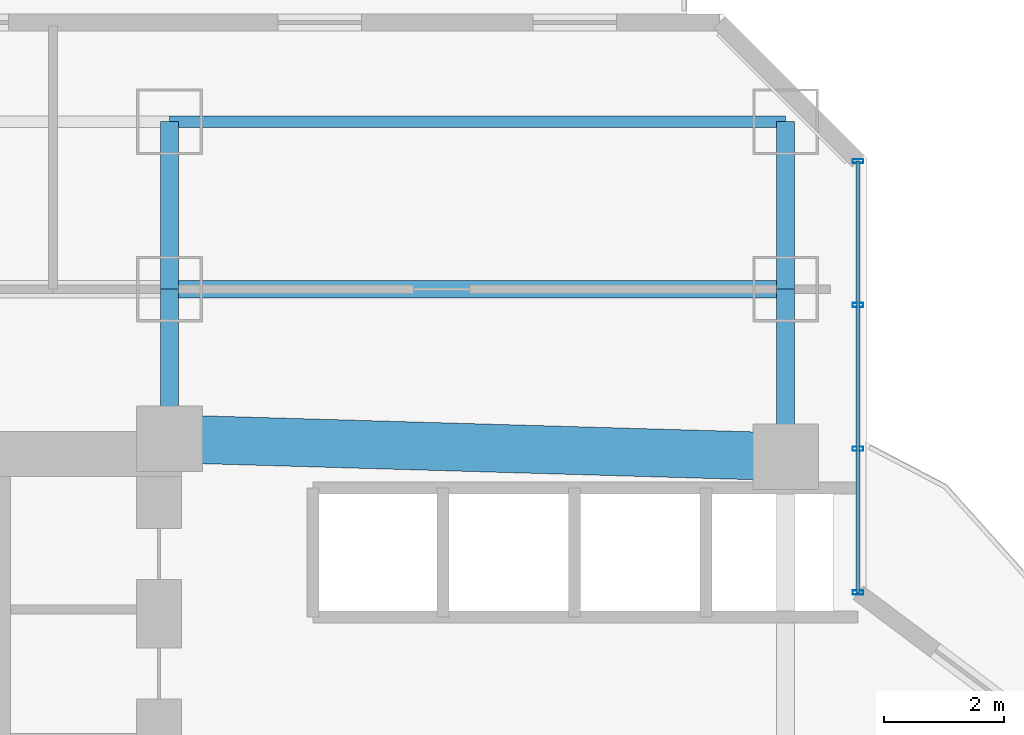
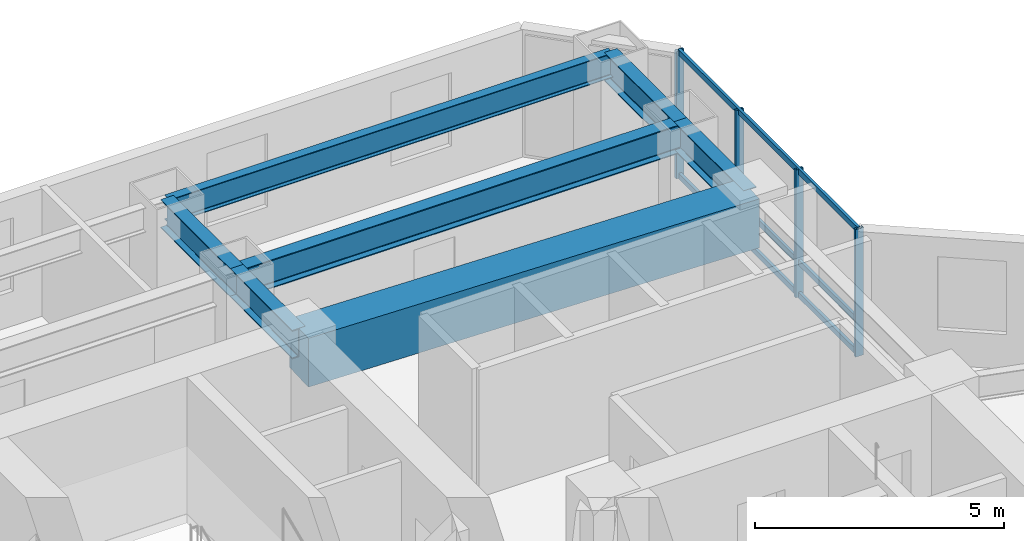
# One storey, part 18 of 38: 7 beams, 7 members, 1 element without a shape of its own.
"""IFC4 building model written with IfcOpenShell, lengths in metres."""

from ifc_helpers import new_model, si_unit, direction, frame, origin, origin_2d, place, context, subcontext, project, spatial, rectangle, hollow_rectangle, i_section, extrude, material, layer, layer_set, material_profile, profile_set, type_object, element, aggregate, save


model = new_model("IFC4")

# Units and contexts
model_context = context("Model", 3, precision=1e-05, world=origin(), true_north=direction((0.0, 1.0)))
body_context = subcontext(model_context, "Body", "Model", "MODEL_VIEW")
ifc_project = project(units=[si_unit("LENGTHUNIT", "METRE"), si_unit("AREAUNIT", "SQUARE_METRE"), si_unit("VOLUMEUNIT", "CUBIC_METRE"), si_unit("PLANEANGLEUNIT", "RADIAN"), si_unit("MASSUNIT", "GRAM", prefix="KILO")], contexts=[model_context])

# Site, building, storey
site_placement = place(None, origin())
site = spatial("IfcSite", under=ifc_project, at=site_placement, CompositionType="ELEMENT")
building_placement = place(site_placement, origin())
building = spatial("IfcBuilding", under=site, at=building_placement, Name="Hatsunagi Terrace Concourse", CompositionType="ELEMENT")
storey_placement = place(building_placement, frame((0.0, 0.0, 60.050048828125)))
storey = spatial("IfcBuildingStorey", under=building, at=storey_placement, Name="L15", CompositionType="ELEMENT", Elevation=60.050048828125)

# Beam
ifc_material_1 = material(Name="Concrete Fc60", Category="concrete")
ifc_material_profile_1 = material_profile(ifc_material_1, rectangle(XDim=0.800048828125, YDim=1.199951171875, at=origin_2d()), Name="RC-800x1200")
ifc_profile_set_1 = profile_set([ifc_material_profile_1], Name="Concrete Fc60")
beam_type_1 = type_object("IfcBeamType", Name="CoreCouplingBeam_RC_800x1200", PredefinedType="BEAM", material=ifc_profile_set_1)
beam_1_placement = place(storey_placement, frame((33.35009765625, 43.300048828125, 2.530029296875), z_axis=(0.999575947545, -0.029119153303, 0.0), x_axis=(0.029119153303, 0.999575947545, 0.0)))
element("IfcBeam", 1, at=beam_1_placement, inside=storey, type_object=beam_type_1, Name="Beam CB-01 CB-L15-2", PredefinedType="BEAM", context=body_context, shape_type="SweptSolid", body=[
    extrude(rectangle(XDim=0.800048828125, YDim=1.199951171875, at=origin_2d()), origin(), (0.0, 0.0, 1.0), 10.30419921875),
])

# Curtain wall, members
ifc_material_2 = material(Name="Anodised Aluminium Alloy 6063-T5", Category="aluminium")
ifc_layer = layer(ifc_material_2, 0.199951171875)
ifc_layer_set = layer_set([ifc_layer], Name="HotelFacade_CW02")
curtain_wall_type = type_object("IfcCurtainWallType", Name="HotelFacade_CW02", PredefinedType="NOTDEFINED", material=ifc_layer_set)
curtain_wall_placement = place(storey_placement, origin())
curtain_wall = element("IfcCurtainWall", 2, at=curtain_wall_placement, inside=storey, type_object=curtain_wall_type, Name="Unitised Curtain Wall CW-02 CW-L15-13", PredefinedType="NOTDEFINED")
ifc_material_3 = material(Name="Anodised Aluminium Alloy 6063-T5", Category="aluminium")
ifc_material_profile_2 = material_profile(ifc_material_3, hollow_rectangle(XDim=0.070068359375, YDim=0.179931640625, WallThickness=0.00390625, at=origin_2d()), Name="ALU-MUL-180x70x4")
ifc_profile_set_2 = profile_set([ifc_material_profile_2], Name="Anodised Aluminium Alloy 6063-T5")
member_type_1 = type_object("IfcMemberType", Name="CurtainWallMullion_180x70", PredefinedType="MULLION", material=ifc_profile_set_2)
member_1_placement = place(storey_placement, frame((44.860107421875, 47.94189453125, 0.0), z_axis=(0.0, 0.0, 1.0), x_axis=(0.0, -1.0, 0.0)))
member_1 = element("IfcMember", 3, at=member_1_placement, type_object=member_type_1, Name="Curtain Wall Mullion MUL-02", PredefinedType="MULLION", context=body_context, shape_type="SweptSolid", body=[
    extrude(hollow_rectangle(XDim=0.070068359375, YDim=0.179931640625, WallThickness=0.00390625, at=origin_2d()), origin(), (0.0, 0.0, 1.0), 3.1298828125),
])
member_2_placement = place(storey_placement, frame((44.860107421875, 45.5380859375, 0.0), z_axis=(0.0, 0.0, 1.0), x_axis=(0.0, -1.0, 0.0)))
member_2 = element("IfcMember", 4, at=member_2_placement, type_object=member_type_1, Name="Curtain Wall Mullion MUL-02", PredefinedType="MULLION", context=body_context, shape_type="SweptSolid", body=[
    extrude(hollow_rectangle(XDim=0.070068359375, YDim=0.179931640625, WallThickness=0.00390625, at=origin_2d()), origin(), (0.0, 0.0, 1.0), 3.1298828125),
])
member_3_placement = place(storey_placement, frame((44.860107421875, 43.134033203125, 0.0), z_axis=(0.0, 0.0, 1.0), x_axis=(0.0, -1.0, 0.0)))
member_3 = element("IfcMember", 5, at=member_3_placement, type_object=member_type_1, Name="Curtain Wall Mullion MUL-02", PredefinedType="MULLION", context=body_context, shape_type="SweptSolid", body=[
    extrude(hollow_rectangle(XDim=0.070068359375, YDim=0.179931640625, WallThickness=0.00390625, at=origin_2d()), origin(), (0.0, 0.0, 1.0), 3.1298828125),
])
member_4_placement = place(storey_placement, frame((44.860107421875, 40.72998046875, 0.0), z_axis=(0.0, 0.0, 1.0), x_axis=(0.0, -1.0, 0.0)))
member_4 = element("IfcMember", 6, at=member_4_placement, type_object=member_type_1, Name="Curtain Wall Mullion MUL-02", PredefinedType="MULLION", context=body_context, shape_type="SweptSolid", body=[
    extrude(hollow_rectangle(XDim=0.070068359375, YDim=0.179931640625, WallThickness=0.00390625, at=origin_2d()), origin(), (0.0, 0.0, 1.0), 3.1298828125),
])
ifc_material_4 = material(Name="Anodised Aluminium Alloy 6063-T5", Category="aluminium")
ifc_material_profile_3 = material_profile(ifc_material_4, hollow_rectangle(XDim=0.06494140625, YDim=0.139892578125, WallThickness=0.00390625, at=origin_2d()), Name="ALU-TRN-140x65x4")
ifc_profile_set_3 = profile_set([ifc_material_profile_3], Name="Anodised Aluminium Alloy 6063-T5")
member_type_2 = type_object("IfcMemberType", Name="CurtainWallTransom_140x65", PredefinedType="USERDEFINED", material=ifc_profile_set_3)
member_5_placement = place(storey_placement, frame((44.860107421875, 47.94189453125, 0.050048828125), z_axis=(0.0, -1.0, 0.0), x_axis=(1.0, 0.0, 0.0)))
member_5 = element("IfcMember", 7, at=member_5_placement, type_object=member_type_2, Name="Curtain Wall Transom TRN-02", ObjectType="TRANSOM", PredefinedType="USERDEFINED", context=body_context, shape_type="SweptSolid", body=[
    extrude(hollow_rectangle(XDim=0.06494140625, YDim=0.139892578125, WallThickness=0.00390625, at=origin_2d()), origin(), (0.0, 0.0, 1.0), 7.2119140625),
])
member_6_placement = place(storey_placement, frame((44.860107421875, 47.94189453125, 0.849853515625), z_axis=(0.0, -1.0, 0.0), x_axis=(1.0, 0.0, 0.0)))
member_6 = element("IfcMember", 8, at=member_6_placement, type_object=member_type_2, Name="Curtain Wall Transom TRN-02", ObjectType="TRANSOM", PredefinedType="USERDEFINED", context=body_context, shape_type="SweptSolid", body=[
    extrude(hollow_rectangle(XDim=0.06494140625, YDim=0.139892578125, WallThickness=0.00390625, at=origin_2d()), origin(), (0.0, 0.0, 1.0), 7.2119140625),
])
member_7_placement = place(storey_placement, frame((44.860107421875, 47.94189453125, 3.079833984375), z_axis=(0.0, -1.0, 0.0), x_axis=(1.0, 0.0, 0.0)))
member_7 = element("IfcMember", 9, at=member_7_placement, type_object=member_type_2, Name="Curtain Wall Transom TRN-02", ObjectType="TRANSOM", PredefinedType="USERDEFINED", context=body_context, shape_type="SweptSolid", body=[
    extrude(hollow_rectangle(XDim=0.06494140625, YDim=0.139892578125, WallThickness=0.00390625, at=origin_2d()), origin(), (0.0, 0.0, 1.0), 7.2119140625),
])
aggregate(curtain_wall, [member_1, member_2, member_3, member_4, member_5, member_6, member_7])

# Beams
ifc_material_5 = material(Name="Steel SN490B", Category="steel")
ifc_material_profile_4 = material_profile(ifc_material_5, i_section(OverallWidth=0.300048828125, OverallDepth=0.699951171875, WebThickness=0.012939453125, FlangeThickness=0.02392578125, FilletRadius=0.02197265625, at=origin_2d()), Name="H-700x300x13x24")
ifc_profile_set_4 = profile_set([ifc_material_profile_4], Name="Steel SN490B")
beam_type_2 = type_object("IfcBeamType", Name="HotelFloorGirder_H_700x300", PredefinedType="BEAM", material=ifc_profile_set_4)
beam_2_placement = place(storey_placement, frame((33.35009765625, 43.300048828125, 2.780029296875), z_axis=(0.0, 1.0, 0.0), x_axis=(-1.0, 0.0, 0.0)))
element("IfcBeam", 10, at=beam_2_placement, inside=storey, type_object=beam_type_2, Name="Beam G-04 BM-L15-CN2", PredefinedType="BEAM", context=body_context, shape_type="SweptSolid", body=[
    extrude(i_section(OverallWidth=0.300048828125, OverallDepth=0.699951171875, WebThickness=0.012939453125, FlangeThickness=0.02392578125, FilletRadius=0.02197265625, at=origin_2d()), origin(), (0.0, 0.0, 1.0), 2.5),
])
beam_3_placement = place(storey_placement, frame((43.64990234375, 43.0, 2.780029296875), z_axis=(0.0, 1.0, 0.0), x_axis=(-1.0, 0.0, 0.0)))
element("IfcBeam", 11, at=beam_3_placement, inside=storey, type_object=beam_type_2, Name="Beam G-04 BM-L15-CN3", PredefinedType="BEAM", context=body_context, shape_type="SweptSolid", body=[
    extrude(i_section(OverallWidth=0.300048828125, OverallDepth=0.699951171875, WebThickness=0.012939453125, FlangeThickness=0.02392578125, FilletRadius=0.02197265625, at=origin_2d()), origin(), (0.0, 0.0, 1.0), 2.800048828125),
])
beam_4_placement = place(storey_placement, frame((33.35009765625, 45.800048828125, 2.780029296875), z_axis=(1.0, 0.0, 0.0), x_axis=(0.0, 1.0, 0.0)))
element("IfcBeam", 12, at=beam_4_placement, inside=storey, type_object=beam_type_2, Name="Beam G-04 BM-L15-CNEW2", PredefinedType="BEAM", context=body_context, shape_type="SweptSolid", body=[
    extrude(i_section(OverallWidth=0.300048828125, OverallDepth=0.699951171875, WebThickness=0.012939453125, FlangeThickness=0.02392578125, FilletRadius=0.02197265625, at=origin_2d()), origin(), (0.0, 0.0, 1.0), 10.2998046875),
])
for number, where, z_axis, x_axis, name in (
    (13, (33.35009765625, 45.800048828125, 2.780029296875), (0.0, 1.0, 0.0), (-1.0, 0.0, 0.0), "Beam G-04 BM-L15-KN-WN5"),
    (14, (43.64990234375, 45.800048828125, 2.780029296875), (0.0, 1.0, 0.0), (-1.0, 0.0, 0.0), "Beam G-04 BM-L15-KN-WN6"),
):
    element("IfcBeam", number, at=place(storey_placement, frame(where, z_axis=z_axis, x_axis=x_axis)), inside=storey, type_object=beam_type_2, Name=name, PredefinedType="BEAM", context=body_context, shape_type="SweptSolid", body=[
        extrude(i_section(OverallWidth=0.300048828125, OverallDepth=0.699951171875, WebThickness=0.012939453125, FlangeThickness=0.02392578125, FilletRadius=0.02197265625, at=origin_2d()), origin(), (0.0, 0.0, 1.0), 2.800048828125),
    ])
ifc_material_6 = material(Name="Steel SN490B", Category="steel")
ifc_material_profile_5 = material_profile(ifc_material_6, i_section(OverallWidth=0.199951171875, OverallDepth=0.60009765625, WebThickness=0.010986328125, FlangeThickness=0.01708984375, FilletRadius=0.01806640625, at=origin_2d()), Name="H-600x200x11x17")
ifc_profile_set_5 = profile_set([ifc_material_profile_5], Name="Steel SN490B")
beam_type_3 = type_object("IfcBeamType", Name="PerimeterSpandrel_H_600x200", PredefinedType="SPANDREL", material=ifc_profile_set_5)
beam_5_placement = place(storey_placement, frame((33.35009765625, 48.60009765625, 2.829833984375), z_axis=(1.0, 0.0, 0.0), x_axis=(0.0, 1.0, 0.0)))
element("IfcBeam", 15, at=beam_5_placement, inside=storey, type_object=beam_type_3, Name="Beam SP-01 BM-L15-WN-33", PredefinedType="SPANDREL", context=body_context, shape_type="SweptSolid", body=[
    extrude(i_section(OverallWidth=0.199951171875, OverallDepth=0.60009765625, WebThickness=0.010986328125, FlangeThickness=0.01708984375, FilletRadius=0.01806640625, at=origin_2d()), origin(), (0.0, 0.0, 1.0), 10.2998046875),
])

save(model, "model.ifc")
